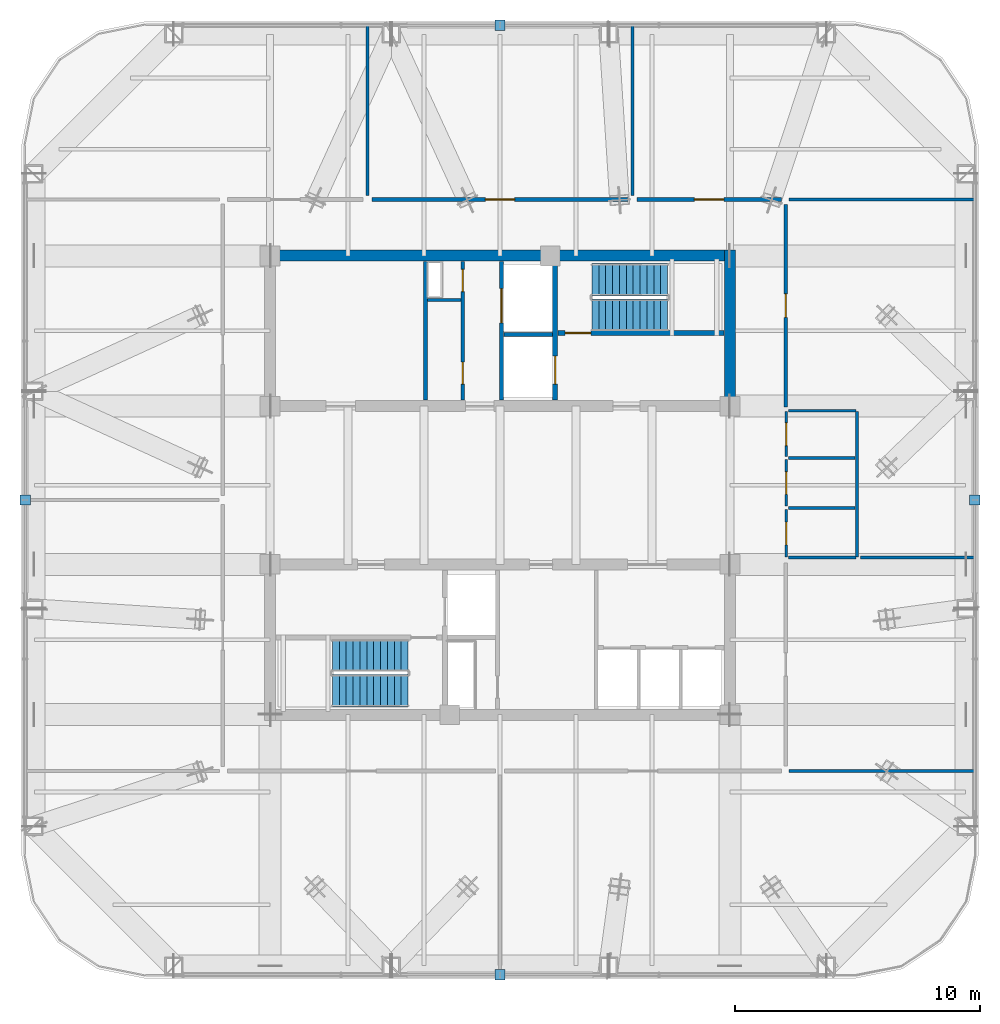
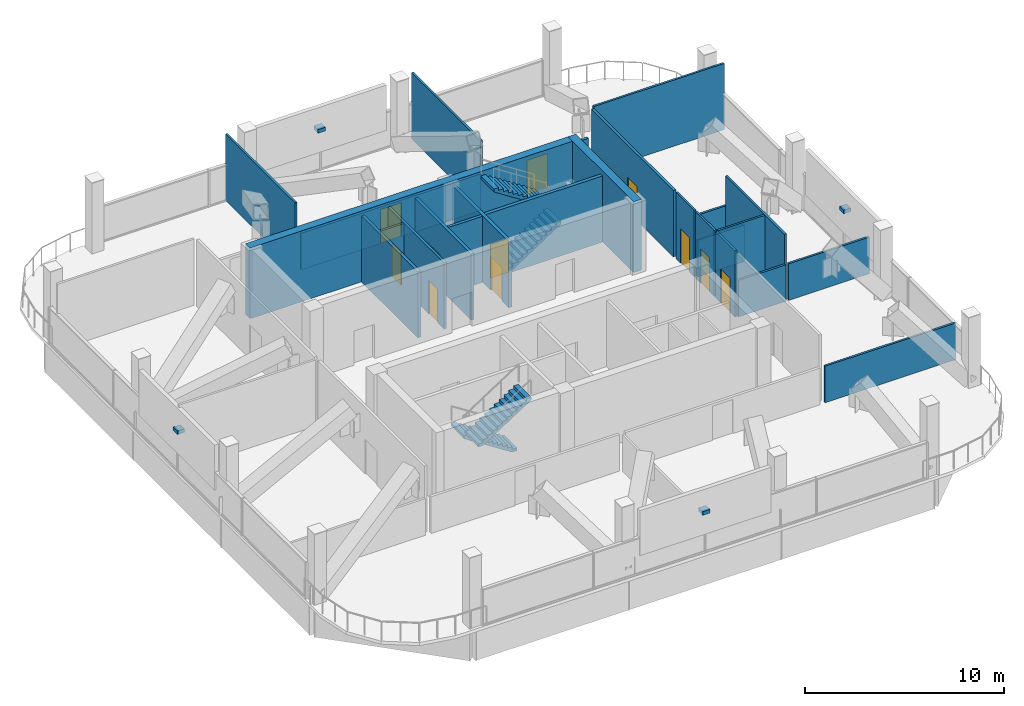
# One storey, part 16 of 19: 25 walls, 11 doors, 4 discrete accessories, 4 stair flights, 11 openings, 2 elements without a shape of their own.
"""IFC4 building model written with IfcOpenShell, lengths in metres."""

from ifc_helpers import new_model, si_unit, direction, frame, frame_2d, origin, origin_2d, place, context, subcontext, project, spatial, polyline, rectangle, outline, extrude, material, layer, layer_set, type_object, element, fill, aggregate, save


model = new_model("IFC4")

# Units and contexts
model_context = context("Model", 3, precision=1e-05, world=origin(), true_north=direction((0.0, 1.0)))
body_context = subcontext(model_context, "Body", "Model", "MODEL_VIEW")
ifc_project = project(units=[si_unit("LENGTHUNIT", "METRE"), si_unit("AREAUNIT", "SQUARE_METRE"), si_unit("VOLUMEUNIT", "CUBIC_METRE"), si_unit("PLANEANGLEUNIT", "RADIAN"), si_unit("MASSUNIT", "GRAM", prefix="KILO")], contexts=[model_context])

# Site, building, storey
site_placement = place(None, origin())
site = spatial("IfcSite", under=ifc_project, at=site_placement, CompositionType="ELEMENT")
building_placement = place(site_placement, origin())
building = spatial("IfcBuilding", under=site, at=building_placement, Name="Qhalaya Broadcast Tower", CompositionType="ELEMENT")
storey_placement = place(building_placement, frame((0.0, 0.0, 226.949951171875)))
storey = spatial("IfcBuildingStorey", under=building, at=storey_placement, Name="L67", CompositionType="ELEMENT", Elevation=226.949951171875)

# Wall, openings, doors
ifc_material_1 = material(Name="Gypsum Acoustic Partition")
ifc_layer_1 = layer(ifc_material_1, 0.14990234375, Name="Gypsum Acoustic Partition")
ifc_layer_set_1 = layer_set([ifc_layer_1], Name="Gypsum Acoustic Partition")
wall_type_1 = type_object("IfcWallType", Name="Corridor & Tenancy Acoustic Partition 150", PredefinedType="PARTITIONING", material=ifc_layer_set_1)
wall_1_placement = place(storey_placement, frame((-1.52001953125, 4.070068359375, 0.0), z_axis=(0.0, 0.0, 1.0), x_axis=(0.0, 1.0, 0.0)))
wall_1 = element("IfcWall", 1, at=wall_1_placement, inside=storey, type_object=wall_type_1, Name="L67 Partition Wall NCW-SVL", PredefinedType="PARTITIONING", context=body_context, shape_type="SweptSolid", body=[
    extrude(rectangle(XDim=5.659912109375, YDim=0.14990234375, at=frame_2d((2.830078125, 0.0))), origin(), (0.0, 0.0, 1.0), 4.070068359375),
])
opening_1_placement = place(wall_1_placement, frame((4.429931640625, 0.0, 0.0)))
opening_1 = element("IfcOpeningElement", 2, at=opening_1_placement, cuts=wall_1, Name="Opening D06", PredefinedType="OPENING", context=body_context, shape_type="SweptSolid", body=[
    extrude(rectangle(XDim=0.89990234375, YDim=2.050048828125, at=frame_2d((0.449951171875, 1.02490234375))), frame((0.0, 0.0869140625, 0.0), z_axis=(0.0, -1.0, 0.0), x_axis=(1.0, 0.0, 0.0)), (0.0, 0.0, 1.0), 0.173828125),
])
opening_2_placement = place(wall_1_placement, frame((0.64990234375, 0.0, 0.0)))
opening_2 = element("IfcOpeningElement", 3, at=opening_2_placement, cuts=wall_1, Name="Opening D06", PredefinedType="OPENING", context=body_context, shape_type="SweptSolid", body=[
    extrude(rectangle(XDim=0.89990234375, YDim=2.050048828125, at=frame_2d((0.449951171875, 1.02490234375))), frame((0.0, 0.0869140625, 0.0), z_axis=(0.0, -1.0, 0.0), x_axis=(1.0, 0.0, 0.0)), (0.0, 0.0, 1.0), 0.173828125),
])
ifc_material_2 = material(Name="Fire-Rated Steel Door", Category="steel")
door_type_1 = type_object("IfcDoorType", Name="Riser & Electrical Shaft Access Door D06", OperationType="NOTDEFINED", PredefinedType="DOOR", material=ifc_material_2)
door_1_placement = place(opening_1_placement, origin())
door_1 = element("IfcDoor", 4, at=door_1_placement, inside=storey, type_object=door_type_1, Name="L67 Riser Shaft Access Door D-NRSR", OperationType="SINGLE_SWING_RIGHT", OverallHeight=2.050048828125, OverallWidth=0.89990234375, PredefinedType="DOOR", context=body_context, shape_type="SweptSolid", body=[
    extrude(rectangle(XDim=0.89990234375, YDim=2.050048828125, at=frame_2d((0.449951171875, 1.02490234375))), frame((0.0, 0.02490234375, 0.0), z_axis=(0.0, -1.0, 0.0), x_axis=(1.0, 0.0, 0.0)), (0.0, 0.0, 1.0), 0.050048828125),
])
fill(opening_1, door_1)
door_2_placement = place(opening_2_placement, origin())
door_2 = element("IfcDoor", 5, at=door_2_placement, inside=storey, type_object=door_type_1, Name="L67 Door D-NCST", OperationType="SINGLE_SWING_LEFT", OverallHeight=2.050048828125, OverallWidth=0.89990234375, PredefinedType="DOOR", context=body_context, shape_type="SweptSolid", body=[
    extrude(rectangle(XDim=0.89990234375, YDim=2.050048828125, at=frame_2d((0.449951171875, 1.02490234375))), frame((0.0, 0.02490234375, 0.0), z_axis=(0.0, -1.0, 0.0), x_axis=(1.0, 0.0, 0.0)), (0.0, 0.0, 1.0), 0.050048828125),
])
fill(opening_2, door_2)

# Wall, opening, door
wall_2_placement = place(storey_placement, frame((-5.219970703125, 12.25, 0.0), z_axis=(0.0, 0.0, 1.0), x_axis=(1.0, 0.0, 0.0)))
wall_2 = element("IfcWall", 6, at=wall_2_placement, inside=storey, type_object=wall_type_1, Name="L67 Partition Wall W-COR-02", PredefinedType="PARTITIONING", context=body_context, shape_type="SweptSolid", body=[
    extrude(rectangle(XDim=10.43994140625, YDim=0.14990234375, at=frame_2d((5.219970703125, 0.0))), origin(), (0.0, 0.0, 1.0), 2.25),
])
opening_3_placement = place(wall_2_placement, frame((4.6201171875, 0.0, 0.0)))
opening_3 = element("IfcOpeningElement", 7, at=opening_3_placement, cuts=wall_2, Name="Opening D11", PredefinedType="OPENING", context=body_context, shape_type="SweptSolid", body=[
    extrude(rectangle(XDim=1.199951171875, YDim=2.10009765625, at=frame_2d((0.60009765625, 1.050048828125))), frame((0.0, 0.0869140625, 0.0), z_axis=(0.0, -1.0, 0.0), x_axis=(1.0, 0.0, 0.0)), (0.0, 0.0, 1.0), 0.173828125),
])
ifc_material_3 = material(Name="Anodised Aluminium Glazed Door", Category="aluminium")
door_type_2 = type_object("IfcDoorType", Name="Conference, Boardroom & Studio Control Door D11", OperationType="NOTDEFINED", PredefinedType="DOOR", material=ifc_material_3)
door_3_placement = place(opening_3_placement, origin())
door_3 = element("IfcDoor", 8, at=door_3_placement, inside=storey, type_object=door_type_2, Name="L67 Door D-RM02", OperationType="SINGLE_SWING_RIGHT", OverallHeight=2.10009765625, OverallWidth=1.199951171875, PredefinedType="DOOR", context=body_context, shape_type="SweptSolid", body=[
    extrude(rectangle(XDim=1.199951171875, YDim=2.10009765625, at=frame_2d((0.60009765625, 1.050048828125))), frame((0.0, 0.02490234375, 0.0), z_axis=(0.0, -1.0, 0.0), x_axis=(1.0, 0.0, 0.0)), (0.0, 0.0, 1.0), 0.050048828125),
])
fill(opening_3, door_3)

wall_3_placement = place(storey_placement, frame((5.580078125, 12.25, 0.0), z_axis=(0.0, 0.0, 1.0), x_axis=(1.0, 0.0, 0.0)))
wall_3 = element("IfcWall", 9, at=wall_3_placement, inside=storey, type_object=wall_type_1, Name="L67 Partition Wall W-COR-03", PredefinedType="PARTITIONING", context=body_context, shape_type="SweptSolid", body=[
    extrude(rectangle(XDim=5.889892578125, YDim=0.14990234375, at=frame_2d((2.94482421875, 0.0))), origin(), (0.0, 0.0, 1.0), 2.25),
])
opening_4_placement = place(wall_3_placement, frame((2.344970703125, 0.0, 0.0)))
opening_4 = element("IfcOpeningElement", 10, at=opening_4_placement, cuts=wall_3, Name="Opening D11", PredefinedType="OPENING", context=body_context, shape_type="SweptSolid", body=[
    extrude(rectangle(XDim=1.199951171875, YDim=2.10009765625, at=frame_2d((0.60009765625, 1.050048828125))), frame((0.0, 0.0869140625, 0.0), z_axis=(0.0, -1.0, 0.0), x_axis=(1.0, 0.0, 0.0)), (0.0, 0.0, 1.0), 0.173828125),
])
door_4_placement = place(opening_4_placement, origin())
door_4 = element("IfcDoor", 11, at=door_4_placement, inside=storey, type_object=door_type_2, Name="L67 Door D-RM03", OperationType="SINGLE_SWING_LEFT", OverallHeight=2.10009765625, OverallWidth=1.199951171875, PredefinedType="DOOR", context=body_context, shape_type="SweptSolid", body=[
    extrude(rectangle(XDim=1.199951171875, YDim=2.10009765625, at=frame_2d((0.60009765625, 1.050048828125))), frame((0.0, 0.02490234375, 0.0), z_axis=(0.0, -1.0, 0.0), x_axis=(1.0, 0.0, 0.0)), (0.0, 0.0, 1.0), 0.050048828125),
])
fill(opening_4, door_4)

wall_4_placement = place(storey_placement, frame((11.64990234375, 3.800048828125, 0.0), z_axis=(0.0, 0.0, 1.0), x_axis=(0.0, 1.0, 0.0)))
wall_4 = element("IfcWall", 12, at=wall_4_placement, inside=storey, type_object=wall_type_1, Name="L67 Partition Wall W-COR-09", PredefinedType="PARTITIONING", context=body_context, shape_type="SweptSolid", body=[
    extrude(rectangle(XDim=8.25, YDim=0.14990234375, at=frame_2d((4.125, 0.0))), origin(), (0.0, 0.0, 1.0), 4.070068359375),
])
opening_5_placement = place(wall_4_placement, frame((3.64990234375, 0.0, 0.0)))
opening_5 = element("IfcOpeningElement", 13, at=opening_5_placement, cuts=wall_4, Name="Opening D10", PredefinedType="OPENING", context=body_context, shape_type="SweptSolid", body=[
    extrude(rectangle(XDim=0.949951171875, YDim=2.10009765625, at=frame_2d((0.47509765625, 1.050048828125))), frame((0.0, 0.0869140625, 0.0), z_axis=(0.0, -1.0, 0.0), x_axis=(1.0, 0.0, 0.0)), (0.0, 0.0, 1.0), 0.173828125),
])
ifc_material_4 = material(Name="Timber Veneer Acoustic Door", Category="wood")
door_type_3 = type_object("IfcDoorType", Name="Cellular Office & Edit Booth Door D10", OperationType="NOTDEFINED", PredefinedType="DOOR", material=ifc_material_4)
door_5_placement = place(opening_5_placement, origin())
door_5 = element("IfcDoor", 14, at=door_5_placement, inside=storey, type_object=door_type_3, Name="L67 Door D-RM09", OperationType="SINGLE_SWING_LEFT", OverallHeight=2.10009765625, OverallWidth=0.949951171875, PredefinedType="DOOR", context=body_context, shape_type="SweptSolid", body=[
    extrude(rectangle(XDim=0.949951171875, YDim=2.10009765625, at=frame_2d((0.47509765625, 1.050048828125))), frame((0.0, 0.02490234375, 0.0), z_axis=(0.0, -1.0, 0.0), x_axis=(1.0, 0.0, 0.0)), (0.0, 0.0, 1.0), 0.050048828125),
])
fill(opening_5, door_5)

ifc_material_5 = material(Name="Concrete C50/60", Category="concrete")
ifc_layer_2 = layer(ifc_material_5, 0.199951171875, Name="Concrete C50/60")
ifc_layer_set_2 = layer_set([ifc_layer_2], Name="Concrete C50/60")
wall_type_2 = type_object("IfcWallType", Name="Load-Bearing Stair Shaft Wall 200", PredefinedType="SHEAR", material=ifc_layer_set_2)
wall_5_placement = place(storey_placement, frame((2.360107421875, 6.804931640625, 0.0), z_axis=(0.0, 0.0, 1.0), x_axis=(1.0, 0.0, 0.0)))
wall_5 = element("IfcWall", 15, at=wall_5_placement, inside=storey, type_object=wall_type_2, Name="L67 Stair Core Shear Wall NCW-ST1", PredefinedType="SHEAR", context=body_context, shape_type="SweptSolid", body=[
    extrude(rectangle(XDim=6.769775390625, YDim=0.199951171875, at=frame_2d((3.384765625, 0.0))), origin(), (0.0, 0.0, 1.0), 4.070068359375),
])
opening_6_placement = place(wall_5_placement, frame((0.300048828125, 0.0, 0.0)))
opening_6 = element("IfcOpeningElement", 16, at=opening_6_placement, cuts=wall_5, Name="Opening D03", PredefinedType="OPENING", context=body_context, shape_type="SweptSolid", body=[
    extrude(rectangle(XDim=1.050048828125, YDim=2.080078125, at=frame_2d((0.52490234375, 1.0400390625))), frame((0.0, 0.112060546875, 0.0), z_axis=(0.0, -1.0, 0.0), x_axis=(1.0, 0.0, 0.0)), (0.0, 0.0, 1.0), 0.223876953125),
])
door_type_4 = type_object("IfcDoorType", Name="Core Stair Protected Fire Door D03", OperationType="NOTDEFINED", PredefinedType="DOOR", material=ifc_material_2)
door_6_placement = place(opening_6_placement, origin())
door_6 = element("IfcDoor", 17, at=door_6_placement, inside=storey, type_object=door_type_4, Name="L67 Door D-NST1", OperationType="SINGLE_SWING_LEFT", OverallHeight=2.080078125, OverallWidth=1.050048828125, PredefinedType="DOOR", context=body_context, shape_type="SweptSolid", body=[
    extrude(rectangle(XDim=1.050048828125, YDim=2.080078125, at=frame_2d((0.52490234375, 1.0400390625))), frame((0.0, 0.02490234375, 0.0), z_axis=(0.0, -1.0, 0.0), x_axis=(1.0, 0.0, 0.0)), (0.0, 0.0, 1.0), 0.050048828125),
])
fill(opening_6, door_6)

wall_6_placement = place(storey_placement, frame((2.25, 4.070068359375, 0.0), z_axis=(0.0, 0.0, 1.0), x_axis=(0.0, 1.0, 0.0)))
wall_6 = element("IfcWall", 18, at=wall_6_placement, inside=storey, type_object=wall_type_2, Name="L67 Stair Core Shear Wall NCW-FF", PredefinedType="SHEAR", context=body_context, shape_type="SweptSolid", body=[
    extrude(rectangle(XDim=5.659912109375, YDim=0.199951171875, at=frame_2d((2.830078125, 0.0))), origin(), (0.0, 0.0, 1.0), 4.070068359375),
])
opening_7_placement = place(wall_6_placement, frame((0.64990234375, 0.0, 0.0)))
opening_7 = element("IfcOpeningElement", 19, at=opening_7_placement, cuts=wall_6, Name="Opening LD2", PredefinedType="OPENING", context=body_context, shape_type="SweptSolid", body=[
    extrude(rectangle(XDim=1.14990234375, YDim=2.080078125, at=frame_2d((0.574951171875, 1.0400390625))), frame((0.0, 0.112060546875, 0.0), z_axis=(0.0, -1.0, 0.0), x_axis=(1.0, 0.0, 0.0)), (0.0, 0.0, 1.0), 0.223876953125),
])
ifc_material_6 = material(Name="Brushed Stainless Steel Lift Door", Category="steel")
door_type_5 = type_object("IfcDoorType", Name="Firefighting Lift Sliding Landing Door LD2", OperationType="DOUBLE_DOOR_SLIDING", PredefinedType="DOOR", material=ifc_material_6)
door_7_placement = place(opening_7_placement, origin())
door_7 = element("IfcDoor", 20, at=door_7_placement, inside=storey, type_object=door_type_5, Name="L67 Door LD-FF1", OperationType="DOUBLE_DOOR_SLIDING", OverallHeight=2.080078125, OverallWidth=1.14990234375, PredefinedType="DOOR", context=body_context, shape_type="SweptSolid", body=[
    extrude(rectangle(XDim=1.14990234375, YDim=2.080078125, at=frame_2d((0.574951171875, 1.0400390625))), frame((0.0, 0.02490234375, 0.0), z_axis=(0.0, -1.0, 0.0), x_axis=(1.0, 0.0, 0.0)), (0.0, 0.0, 1.0), 0.050048828125),
])
fill(opening_7, door_7)

# Wall
ifc_layer_3 = layer(ifc_material_1, 0.1201171875, Name="Gypsum Acoustic Partition")
ifc_layer_set_3 = layer_set([ifc_layer_3], Name="Gypsum Acoustic Partition")
wall_type_3 = type_object("IfcWallType", Name="Office, Booth & Sanitary Partition 120", PredefinedType="PARTITIONING", material=ifc_layer_set_3)
wall_7_placement = place(storey_placement, frame((-2.9599609375, 8.14990234375, 0.0), z_axis=(0.0, 0.0, 1.0), x_axis=(1.0, 0.0, 0.0)))
element("IfcWall", 21, at=wall_7_placement, inside=storey, type_object=wall_type_3, Name="L67 Partition Wall NCW-VA", PredefinedType="PARTITIONING", context=body_context, shape_type="SweptSolid", body=[
    extrude(rectangle(XDim=1.35986328125, YDim=0.1201171875, at=frame_2d((0.679931640625, 0.0))), origin(), (0.0, 0.0, 1.0), 4.070068359375),
])

# Wall, opening, door
wall_8_placement = place(storey_placement, frame((11.669921875, -2.320068359375, 0.0), z_axis=(0.0, 0.0, 1.0), x_axis=(0.0, 1.0, 0.0)))
wall_8 = element("IfcWall", 22, at=wall_8_placement, inside=storey, type_object=wall_type_3, Name="L67 Partition Wall W-WCWA", PredefinedType="PARTITIONING", context=body_context, shape_type="SweptSolid", body=[
    extrude(rectangle(XDim=1.940185546875, YDim=0.1201171875, at=frame_2d((0.97021484375, 0.0))), origin(), (0.0, 0.0, 1.0), 4.070068359375),
])
opening_8_placement = place(wall_8_placement, frame((0.4951171875, 0.0, 0.0)))
opening_8 = element("IfcOpeningElement", 23, at=opening_8_placement, cuts=wall_8, Name="Opening D12", PredefinedType="OPENING", context=body_context, shape_type="SweptSolid", body=[
    extrude(rectangle(XDim=0.919921875, YDim=2.10009765625, at=frame_2d((0.4599609375, 1.050048828125))), frame((0.0, 0.072021484375, 0.0), z_axis=(0.0, -1.0, 0.0), x_axis=(1.0, 0.0, 0.0)), (0.0, 0.0, 1.0), 0.14404296875),
])
door_type_6 = type_object("IfcDoorType", Name="Accessible WC & Restroom Door D12", OperationType="NOTDEFINED", PredefinedType="DOOR", material=ifc_material_4)
door_8_placement = place(opening_8_placement, origin())
door_8 = element("IfcDoor", 24, at=door_8_placement, inside=storey, type_object=door_type_6, Name="L67 Door D-WCA", OperationType="SINGLE_SWING_LEFT", OverallHeight=2.10009765625, OverallWidth=0.919921875, PredefinedType="DOOR", context=body_context, shape_type="SweptSolid", body=[
    extrude(rectangle(XDim=0.919921875, YDim=2.10009765625, at=frame_2d((0.4599609375, 1.050048828125))), frame((0.0, 0.02490234375, 0.0), z_axis=(0.0, -1.0, 0.0), x_axis=(1.0, 0.0, 0.0)), (0.0, 0.0, 1.0), 0.050048828125),
])
fill(opening_8, door_8)

wall_9_placement = place(storey_placement, frame((11.669921875, -0.25, 0.0), z_axis=(0.0, 0.0, 1.0), x_axis=(0.0, 1.0, 0.0)))
wall_9 = element("IfcWall", 25, at=wall_9_placement, inside=storey, type_object=wall_type_3, Name="L67 Partition Wall W-WCWM", PredefinedType="PARTITIONING", context=body_context, shape_type="SweptSolid", body=[
    extrude(rectangle(XDim=1.89990234375, YDim=0.1201171875, at=frame_2d((0.949951171875, 0.0))), origin(), (0.0, 0.0, 1.0), 4.070068359375),
])
opening_9_placement = place(wall_9_placement, frame((0.47509765625, 0.0, 0.0)))
opening_9 = element("IfcOpeningElement", 26, at=opening_9_placement, cuts=wall_9, Name="Opening D12", PredefinedType="OPENING", context=body_context, shape_type="SweptSolid", body=[
    extrude(rectangle(XDim=0.919921875, YDim=2.10009765625, at=frame_2d((0.4599609375, 1.050048828125))), frame((0.0, 0.072021484375, 0.0), z_axis=(0.0, -1.0, 0.0), x_axis=(1.0, 0.0, 0.0)), (0.0, 0.0, 1.0), 0.14404296875),
])
door_9_placement = place(opening_9_placement, origin())
door_9 = element("IfcDoor", 27, at=door_9_placement, inside=storey, type_object=door_type_6, Name="L67 Door D-WCM", OperationType="SINGLE_SWING_RIGHT", OverallHeight=2.10009765625, OverallWidth=0.919921875, PredefinedType="DOOR", context=body_context, shape_type="SweptSolid", body=[
    extrude(rectangle(XDim=0.919921875, YDim=2.10009765625, at=frame_2d((0.4599609375, 1.050048828125))), frame((0.0, 0.02490234375, 0.0), z_axis=(0.0, -1.0, 0.0), x_axis=(1.0, 0.0, 0.0)), (0.0, 0.0, 1.0), 0.050048828125),
])
fill(opening_9, door_9)

wall_10_placement = place(storey_placement, frame((11.669921875, 1.780029296875, 0.0), z_axis=(0.0, 0.0, 1.0), x_axis=(0.0, 1.0, 0.0)))
wall_10 = element("IfcWall", 28, at=wall_10_placement, inside=storey, type_object=wall_type_3, Name="L67 Partition Wall W-WCWF", PredefinedType="PARTITIONING", context=body_context, shape_type="SweptSolid", body=[
    extrude(rectangle(XDim=1.830078125, YDim=0.1201171875, at=frame_2d((0.9150390625, 0.0))), origin(), (0.0, 0.0, 1.0), 4.070068359375),
])
opening_10_placement = place(wall_10_placement, frame((0.43994140625, 0.0, 0.0)))
opening_10 = element("IfcOpeningElement", 29, at=opening_10_placement, cuts=wall_10, Name="Opening D12", PredefinedType="OPENING", context=body_context, shape_type="SweptSolid", body=[
    extrude(rectangle(XDim=0.919921875, YDim=2.10009765625, at=frame_2d((0.4599609375, 1.050048828125))), frame((0.0, 0.072021484375, 0.0), z_axis=(0.0, -1.0, 0.0), x_axis=(1.0, 0.0, 0.0)), (0.0, 0.0, 1.0), 0.14404296875),
])
door_10_placement = place(opening_10_placement, origin())
door_10 = element("IfcDoor", 30, at=door_10_placement, inside=storey, type_object=door_type_6, Name="L67 Door D-WCF", OperationType="SINGLE_SWING_LEFT", OverallHeight=2.10009765625, OverallWidth=0.919921875, PredefinedType="DOOR", context=body_context, shape_type="SweptSolid", body=[
    extrude(rectangle(XDim=0.919921875, YDim=2.10009765625, at=frame_2d((0.4599609375, 1.050048828125))), frame((0.0, 0.02490234375, 0.0), z_axis=(0.0, -1.0, 0.0), x_axis=(1.0, 0.0, 0.0)), (0.0, 0.0, 1.0), 0.050048828125),
])
fill(opening_10, door_10)

# Walls
wall_11_placement = place(storey_placement, frame((14.550048828125, -2.320068359375, 0.0), z_axis=(0.0, 0.0, 1.0), x_axis=(0.0, 1.0, 0.0)))
element("IfcWall", 31, at=wall_11_placement, inside=storey, type_object=wall_type_3, Name="L67 Partition Wall W-WCE", PredefinedType="PARTITIONING", context=body_context, shape_type="SweptSolid", body=[
    extrude(rectangle(XDim=5.93017578125, YDim=0.1201171875, at=frame_2d((2.965087890625, 0.0))), origin(), (0.0, 0.0, 1.0), 4.070068359375),
])
for number, where, z_axis, x_axis, name in (
    (32, (11.760009765625, -2.35009765625, 0.0), (0.0, 0.0, 1.0), (1.0, 0.0, 0.0), "L67 Partition Wall W-WCS"),
    (33, (11.760009765625, 3.639892578125, 0.0), (0.0, 0.0, 1.0), (1.0, 0.0, 0.0), "L67 Partition Wall W-WCN"),
):
    element("IfcWall", number, at=place(storey_placement, frame(where, z_axis=z_axis, x_axis=x_axis)), inside=storey, type_object=wall_type_3, Name=name, PredefinedType="PARTITIONING", context=body_context, shape_type="SweptSolid", body=[
        extrude(rectangle(XDim=2.760009765625, YDim=0.1201171875, at=frame_2d((1.3798828125, 0.0))), origin(), (0.0, 0.0, 1.0), 2.25),
    ])
wall_12_placement = place(storey_placement, frame((11.760009765625, -0.320068359375, 0.0), z_axis=(0.0, 0.0, 1.0), x_axis=(1.0, 0.0, 0.0)))
element("IfcWall", 34, at=wall_12_placement, inside=storey, type_object=wall_type_3, Name="L67 Partition Wall W-WCD1", PredefinedType="PARTITIONING", context=body_context, shape_type="SweptSolid", body=[
    extrude(rectangle(XDim=2.719970703125, YDim=0.1201171875, at=frame_2d((1.35986328125, 0.0))), origin(), (0.0, 0.0, 1.0), 4.070068359375),
])
wall_13_placement = place(storey_placement, frame((11.760009765625, 1.719970703125, 0.0), z_axis=(0.0, 0.0, 1.0), x_axis=(1.0, 0.0, 0.0)))
element("IfcWall", 35, at=wall_13_placement, inside=storey, type_object=wall_type_3, Name="L67 Partition Wall W-WCD2", PredefinedType="PARTITIONING", context=body_context, shape_type="SweptSolid", body=[
    extrude(rectangle(XDim=2.719970703125, YDim=0.1201171875, at=frame_2d((1.35986328125, 0.0))), origin(), (0.0, 0.0, 1.0), 2.25),
])
wall_14_placement = place(storey_placement, frame((11.7900390625, 12.25, 0.0), z_axis=(0.0, 0.0, 1.0), x_axis=(1.0, 0.0, 0.0)))
element("IfcWall", 36, at=wall_14_placement, inside=storey, type_object=wall_type_3, Name="L67 Partition Wall W-BNDE1", PredefinedType="PARTITIONING", context=body_context, shape_type="SweptSolid", body=[
    extrude(rectangle(XDim=7.58984375, YDim=0.1201171875, at=frame_2d((3.794921875, 0.0))), origin(), (0.0, 0.0, 1.0), 4.070068359375),
])
wall_15_placement = place(storey_placement, frame((11.7900390625, -11.050048828125, 0.0), z_axis=(0.0, 0.0, 1.0), x_axis=(1.0, 0.0, 0.0)))
element("IfcWall", 37, at=wall_15_placement, inside=storey, type_object=wall_type_3, Name="L67 Partition Wall W-BNDE2", PredefinedType="PARTITIONING", context=body_context, shape_type="SweptSolid", body=[
    extrude(rectangle(XDim=7.58984375, YDim=0.1201171875, at=frame_2d((3.794921875, 0.0))), origin(), (0.0, 0.0, 1.0), 2.25),
])
for number, where, z_axis, x_axis, name in (
    (38, (-5.39990234375, 12.409912109375, 0.0), (0.0, 0.0, 1.0), (0.0, 1.0, 0.0), "L67 Partition Wall W-DIVN1"),
    (39, (5.39990234375, 12.409912109375, 0.0), (0.0, 0.0, 1.0), (0.0, 1.0, 0.0), "L67 Partition Wall W-DIVN2"),
):
    element("IfcWall", number, at=place(storey_placement, frame(where, z_axis=z_axis, x_axis=x_axis)), inside=storey, type_object=wall_type_3, Name=name, PredefinedType="PARTITIONING", context=body_context, shape_type="SweptSolid", body=[
        extrude(rectangle(XDim=6.969970703125, YDim=0.1201171875, at=frame_2d((3.48486328125, 0.0))), origin(), (0.0, 0.0, 1.0), 4.070068359375),
    ])
wall_16_placement = place(storey_placement, frame((14.68994140625, -2.35009765625, 0.0), z_axis=(0.0, 0.0, 1.0), x_axis=(1.0, 0.0, 0.0)))
element("IfcWall", 40, at=wall_16_placement, inside=storey, type_object=wall_type_3, Name="L67 Partition Wall W-DIVE-WC", PredefinedType="PARTITIONING", context=body_context, shape_type="SweptSolid", body=[
    extrude(rectangle(XDim=4.68994140625, YDim=0.1201171875, at=frame_2d((2.344970703125, 0.0))), origin(), (0.0, 0.0, 1.0), 2.25),
])

# Wall, opening, door
ifc_layer_4 = layer(ifc_material_1, 0.175048828125, Name="Gypsum Acoustic Partition")
ifc_layer_set_4 = layer_set([ifc_layer_4], Name="Gypsum Acoustic Partition")
wall_type_4 = type_object("IfcWallType", Name="Shaft & Riser Fire Partition 175", PredefinedType="PARTITIONING", material=ifc_layer_set_4)
wall_17_placement = place(storey_placement, frame((0.06005859375, 4.070068359375, 0.0), z_axis=(0.0, 0.0, 1.0), x_axis=(0.0, 1.0, 0.0)))
wall_17 = element("IfcWall", 41, at=wall_17_placement, inside=storey, type_object=wall_type_4, Name="L67 Partition Wall NCW-SVW", PredefinedType="PARTITIONING", context=body_context, shape_type="SweptSolid", body=[
    extrude(rectangle(XDim=5.659912109375, YDim=0.175048828125, at=frame_2d((2.830078125, 0.0))), origin(), (0.0, 0.0, 1.0), 4.070068359375),
])
opening_11_placement = place(wall_17_placement, frame((3.14990234375, 0.0, 0.0)))
opening_11 = element("IfcOpeningElement", 42, at=opening_11_placement, cuts=wall_17, Name="Opening LD3", PredefinedType="OPENING", context=body_context, shape_type="SweptSolid", body=[
    extrude(rectangle(XDim=1.39990234375, YDim=2.1201171875, at=frame_2d((0.699951171875, 1.06005859375))), frame((0.0, 0.099609375, 0.0), z_axis=(0.0, -1.0, 0.0), x_axis=(1.0, 0.0, 0.0)), (0.0, 0.0, 1.0), 0.198974609375),
])
door_type_7 = type_object("IfcDoorType", Name="Service Lift Wide Sliding Landing Door LD3", OperationType="DOUBLE_DOOR_SLIDING", PredefinedType="DOOR", material=ifc_material_6)
door_11_placement = place(opening_11_placement, origin())
door_11 = element("IfcDoor", 43, at=door_11_placement, inside=storey, type_object=door_type_7, Name="L67 Door LD-SV1", OperationType="DOUBLE_DOOR_SLIDING", OverallHeight=2.1201171875, OverallWidth=1.39990234375, PredefinedType="DOOR", context=body_context, shape_type="SweptSolid", body=[
    extrude(rectangle(XDim=1.39990234375, YDim=2.1201171875, at=frame_2d((0.699951171875, 1.06005859375))), frame((0.0, 0.02490234375, 0.0), z_axis=(0.0, -1.0, 0.0), x_axis=(1.0, 0.0, 0.0)), (0.0, 0.0, 1.0), 0.050048828125),
])
fill(opening_11, door_11)

# Walls
wall_18_placement = place(storey_placement, frame((0.159912109375, 6.75, 0.0), z_axis=(0.0, 0.0, 1.0), x_axis=(1.0, 0.0, 0.0)))
element("IfcWall", 44, at=wall_18_placement, inside=storey, type_object=wall_type_4, Name="L67 Partition Wall NCW-SVM", PredefinedType="PARTITIONING", context=body_context, shape_type="SweptSolid", body=[
    extrude(rectangle(XDim=1.97998046875, YDim=0.175048828125, at=frame_2d((0.989990234375, 0.0))), origin(), (0.0, 0.0, 1.0), 4.070068359375),
])
wall_19_placement = place(storey_placement, frame((-3.0400390625, 4.070068359375, 0.0), z_axis=(0.0, 0.0, 1.0), x_axis=(0.0, 1.0, 0.0)))
element("IfcWall", 45, at=wall_19_placement, inside=storey, type_object=wall_type_4, Name="L67 Partition Wall NCW-VRW", PredefinedType="PARTITIONING", context=body_context, shape_type="SweptSolid", body=[
    extrude(rectangle(XDim=5.659912109375, YDim=0.175048828125, at=frame_2d((2.830078125, 0.0))), origin(), (0.0, 0.0, 1.0), 4.070068359375),
])
ifc_layer_5 = layer(ifc_material_5, 0.449951171875, Name="Concrete C50/60")
ifc_layer_set_5 = layer_set([ifc_layer_5], Name="Concrete C50/60")
wall_type_5 = type_object("IfcWallType", Name="Upper Split-Core Shear Wall 450", PredefinedType="SHEAR", material=ifc_layer_set_5)
wall_20_placement = place(storey_placement, frame((-9.60009765625, 9.97509765625, 0.0), z_axis=(0.0, 0.0, 1.0), x_axis=(1.0, 0.0, 0.0)))
element("IfcWall", 46, at=wall_20_placement, inside=storey, type_object=wall_type_5, Name="L67 Split-Core Shear Wall CW-NN", PredefinedType="SHEAR", context=body_context, shape_type="SweptSolid", body=[
    extrude(rectangle(XDim=19.2001953125, YDim=0.449951171875, at=frame_2d((9.60009765625, 0.0))), origin(), (0.0, 0.0, 1.0), 4.35009765625),
])
wall_21_placement = place(storey_placement, frame((9.375, 3.60009765625, 0.0), z_axis=(0.0, 0.0, 1.0), x_axis=(0.0, 1.0, 0.0)))
element("IfcWall", 47, at=wall_21_placement, inside=storey, type_object=wall_type_5, Name="L67 Split-Core Shear Wall CW-NE", PredefinedType="SHEAR", context=body_context, shape_type="SweptSolid", body=[
    extrude(rectangle(XDim=6.599853515625, YDim=0.449951171875, at=frame_2d((3.2998046875, 0.0))), origin(), (0.0, 0.0, 1.0), 4.35009765625),
])

# Stair, stair flights
ifc_material_7 = material(Name="Concrete C40/50", Category="concrete")
stair_type = type_object("IfcStairType", Name="Protected Dogleg Core Stair 4200", PredefinedType="TWO_STRAIGHT_RUN_STAIR", material=ifc_material_7)
stair_1_placement = place(storey_placement, origin())
stair_1 = element("IfcStair", 48, at=stair_1_placement, inside=storey, type_object=stair_type, Name="L67 North Core Exit Stair ST-1", PredefinedType="TWO_STRAIGHT_RUN_STAIR")
ifc_material_8 = material(Name="Precast Concrete C40/50", Category="concrete")
stair_flight_type = type_object("IfcStairFlightType", Name="Precast Concrete Stair Flight 4200", PredefinedType="STRAIGHT", material=ifc_material_8)
stair_flight_1_placement = place(storey_placement, frame((3.75, 7.5400390625, 0.0), z_axis=(0.0, 0.0, 1.0), x_axis=(1.0, 0.0, 0.0)))
stair_flight_1 = element("IfcStairFlight", 49, at=stair_flight_1_placement, type_object=stair_flight_type, Name="ST-1 flight 1", NumberOfRisers=12, NumberOfTreads=11, PredefinedType="STRAIGHT", RiserHeight=0.18125, TreadLength=0.28, context=body_context, shape_type="SweptSolid", body=[
    extrude(outline(polyline([(0.0, 0.0), (0.0, 0.18115234375), (0.280029296875, 0.18115234375), (0.280029296875, 0.362548828125), (0.56005859375, 0.362548828125), (0.56005859375, 0.543701171875), (0.840087890625, 0.543701171875), (0.840087890625, 0.72509765625), (1.1201171875, 0.72509765625), (1.1201171875, 0.90625), (1.39990234375, 0.90625), (1.39990234375, 1.08740234375), (1.679931640625, 1.08740234375), (1.679931640625, 1.268798828125), (1.9599609375, 1.268798828125), (1.9599609375, 1.449951171875), (2.239990234375, 1.449951171875), (2.239990234375, 1.63134765625), (2.52001953125, 1.63134765625), (2.52001953125, 1.8125), (2.800048828125, 1.8125), (2.800048828125, 1.99365234375), (3.080078125, 1.99365234375), (3.080078125, 2.175048828125), (3.080078125, 1.815185546875), (0.27587890625, 0.0), (0.0, 0.0)])), frame((0.0, 0.66015625, 0.0), z_axis=(0.0, -1.0, 0.0), x_axis=(1.0, 0.0, 0.0)), (0.0, 0.0, 1.0), 1.320068359375),
])
stair_flight_2_placement = place(storey_placement, frame((6.830078125, 8.97998046875, 2.175048828125), z_axis=(0.0, 0.0, 1.0), x_axis=(-1.0, 0.0, 0.0)))
stair_flight_2 = element("IfcStairFlight", 50, at=stair_flight_2_placement, type_object=stair_flight_type, Name="ST-1 flight 2", NumberOfRisers=12, NumberOfTreads=11, PredefinedType="STRAIGHT", RiserHeight=0.18125, TreadLength=0.28, context=body_context, shape_type="SweptSolid", body=[
    extrude(outline(polyline([(0.0, 0.0), (0.0, 0.18115234375), (0.280029296875, 0.18115234375), (0.280029296875, 0.362548828125), (0.56005859375, 0.362548828125), (0.56005859375, 0.543701171875), (0.840087890625, 0.543701171875), (0.840087890625, 0.72509765625), (1.1201171875, 0.72509765625), (1.1201171875, 0.90625), (1.39990234375, 0.90625), (1.39990234375, 1.08740234375), (1.679931640625, 1.08740234375), (1.679931640625, 1.268798828125), (1.9599609375, 1.268798828125), (1.9599609375, 1.449951171875), (2.239990234375, 1.449951171875), (2.239990234375, 1.63134765625), (2.52001953125, 1.63134765625), (2.52001953125, 1.8125), (2.800048828125, 1.8125), (2.800048828125, 1.99365234375), (3.080078125, 1.99365234375), (3.080078125, 2.175048828125), (3.080078125, 1.815185546875), (0.27587890625, 0.0), (0.0, 0.0)])), frame((0.0, 0.66015625, 0.0), z_axis=(0.0, -1.0, 0.0), x_axis=(1.0, 0.0, 0.0)), (0.0, 0.0, 1.0), 1.320068359375),
])
aggregate(stair_1, [stair_flight_1, stair_flight_2])

stair_2_placement = place(storey_placement, origin())
stair_2 = element("IfcStair", 51, at=stair_2_placement, inside=storey, type_object=stair_type, Name="L67 South Core Exit Stair ST-2", PredefinedType="TWO_STRAIGHT_RUN_STAIR")
stair_flight_3_placement = place(storey_placement, frame((-3.75, -6.340087890625, 0.0), z_axis=(0.0, 0.0, 1.0), x_axis=(-1.0, 0.0, 0.0)))
stair_flight_3 = element("IfcStairFlight", 52, at=stair_flight_3_placement, type_object=stair_flight_type, Name="ST-2 flight 1", NumberOfRisers=12, NumberOfTreads=11, PredefinedType="STRAIGHT", RiserHeight=0.18125, TreadLength=0.28, context=body_context, shape_type="SweptSolid", body=[
    extrude(outline(polyline([(0.0, 0.0), (0.0, 0.18115234375), (0.280029296875, 0.18115234375), (0.280029296875, 0.362548828125), (0.56005859375, 0.362548828125), (0.56005859375, 0.543701171875), (0.840087890625, 0.543701171875), (0.840087890625, 0.72509765625), (1.1201171875, 0.72509765625), (1.1201171875, 0.90625), (1.39990234375, 0.90625), (1.39990234375, 1.08740234375), (1.679931640625, 1.08740234375), (1.679931640625, 1.268798828125), (1.9599609375, 1.268798828125), (1.9599609375, 1.449951171875), (2.239990234375, 1.449951171875), (2.239990234375, 1.63134765625), (2.52001953125, 1.63134765625), (2.52001953125, 1.8125), (2.800048828125, 1.8125), (2.800048828125, 1.99365234375), (3.080078125, 1.99365234375), (3.080078125, 2.175048828125), (3.080078125, 1.815185546875), (0.27587890625, 0.0), (0.0, 0.0)])), frame((0.0, 0.66015625, 0.0), z_axis=(0.0, -1.0, 0.0), x_axis=(1.0, 0.0, 0.0)), (0.0, 0.0, 1.0), 1.320068359375),
])
stair_flight_4_placement = place(storey_placement, frame((-6.830078125, -7.780029296875, 2.175048828125), z_axis=(0.0, 0.0, 1.0), x_axis=(1.0, 0.0, 0.0)))
stair_flight_4 = element("IfcStairFlight", 53, at=stair_flight_4_placement, type_object=stair_flight_type, Name="ST-2 flight 2", NumberOfRisers=12, NumberOfTreads=11, PredefinedType="STRAIGHT", RiserHeight=0.18125, TreadLength=0.28, context=body_context, shape_type="SweptSolid", body=[
    extrude(outline(polyline([(0.0, 0.0), (0.0, 0.18115234375), (0.280029296875, 0.18115234375), (0.280029296875, 0.362548828125), (0.56005859375, 0.362548828125), (0.56005859375, 0.543701171875), (0.840087890625, 0.543701171875), (0.840087890625, 0.72509765625), (1.1201171875, 0.72509765625), (1.1201171875, 0.90625), (1.39990234375, 0.90625), (1.39990234375, 1.08740234375), (1.679931640625, 1.08740234375), (1.679931640625, 1.268798828125), (1.9599609375, 1.268798828125), (1.9599609375, 1.449951171875), (2.239990234375, 1.449951171875), (2.239990234375, 1.63134765625), (2.52001953125, 1.63134765625), (2.52001953125, 1.8125), (2.800048828125, 1.8125), (2.800048828125, 1.99365234375), (3.080078125, 1.99365234375), (3.080078125, 2.175048828125), (3.080078125, 1.815185546875), (0.27587890625, 0.0), (0.0, 0.0)])), frame((0.0, 0.66015625, 0.0), z_axis=(0.0, -1.0, 0.0), x_axis=(1.0, 0.0, 0.0)), (0.0, 0.0, 1.0), 1.320068359375),
])
aggregate(stair_2, [stair_flight_3, stair_flight_4])

# Discrete accessories
ifc_material_9 = material(Name="Structural Steel ASTM A572 Grade 50", Category="steel")
discrete_accessory_type = type_object("IfcDiscreteAccessoryType", Name="Facade Baguette Support Bracket BRK-01", PredefinedType="BRACKET", material=ifc_material_9)
for number, where, z_axis, x_axis, name in (
    (54, (0.0, -19.360107421875, 2.41357421875), (0.0, 0.0, 1.0), (1.0, 0.0, 0.0), "L67 Baguette Support Bracket S"),
    (55, (19.360107421875, 0.0, 2.41357421875), (0.0, 0.0, 1.0), (0.0, 1.0, 0.0), "L67 Baguette Support Bracket E"),
    (56, (0.0, 19.360107421875, 2.41357421875), (0.0, 0.0, 1.0), (-1.0, 0.0, 0.0), "L67 Baguette Support Bracket N"),
    (57, (-19.360107421875, 0.0, 2.41357421875), (0.0, 0.0, 1.0), (0.0, -1.0, 0.0), "L67 Baguette Support Bracket W"),
):
    element("IfcDiscreteAccessory", number, at=place(storey_placement, frame(where, z_axis=z_axis, x_axis=x_axis)), inside=storey, type_object=discrete_accessory_type, Name=name, PredefinedType="BRACKET", context=body_context, shape_type="SweptSolid", body=[
        extrude(rectangle(XDim=0.419921875, YDim=0.419921875, at=origin_2d()), origin(), (0.0, 0.0, 1.0), 0.219970703125),
    ])

save(model, "model.ifc")
